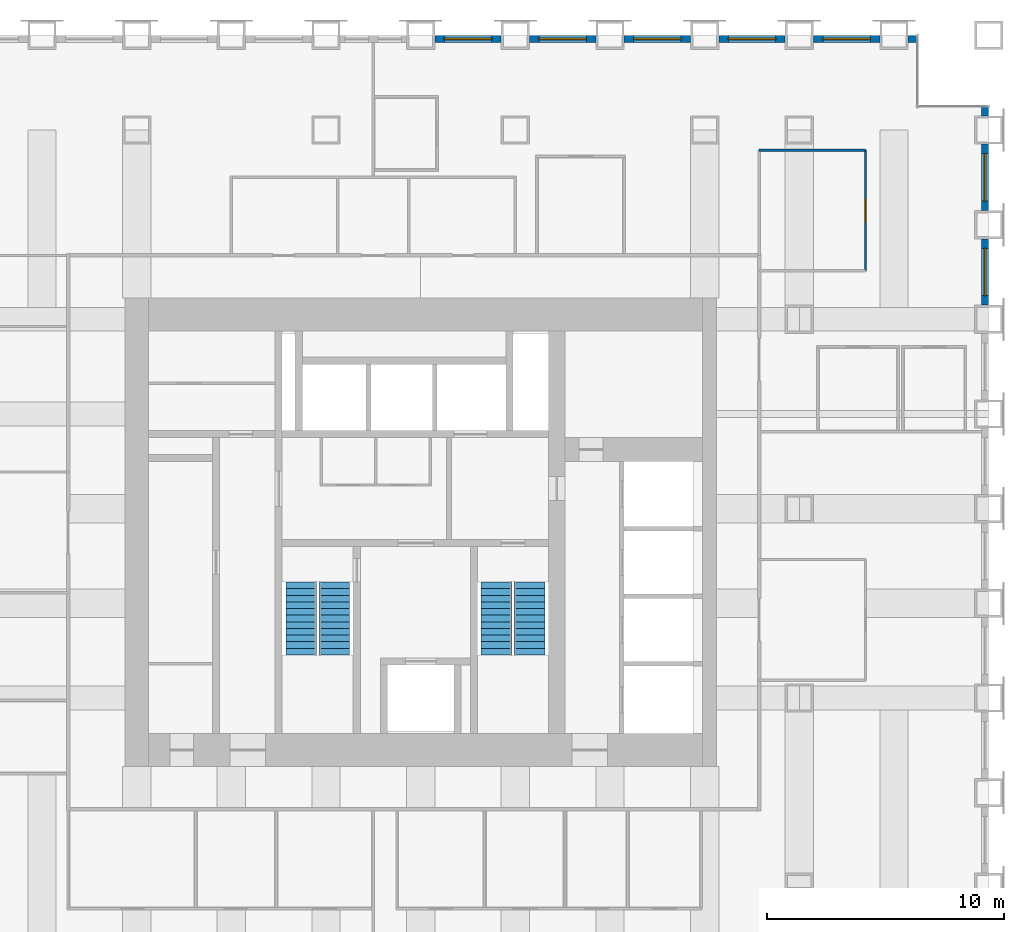
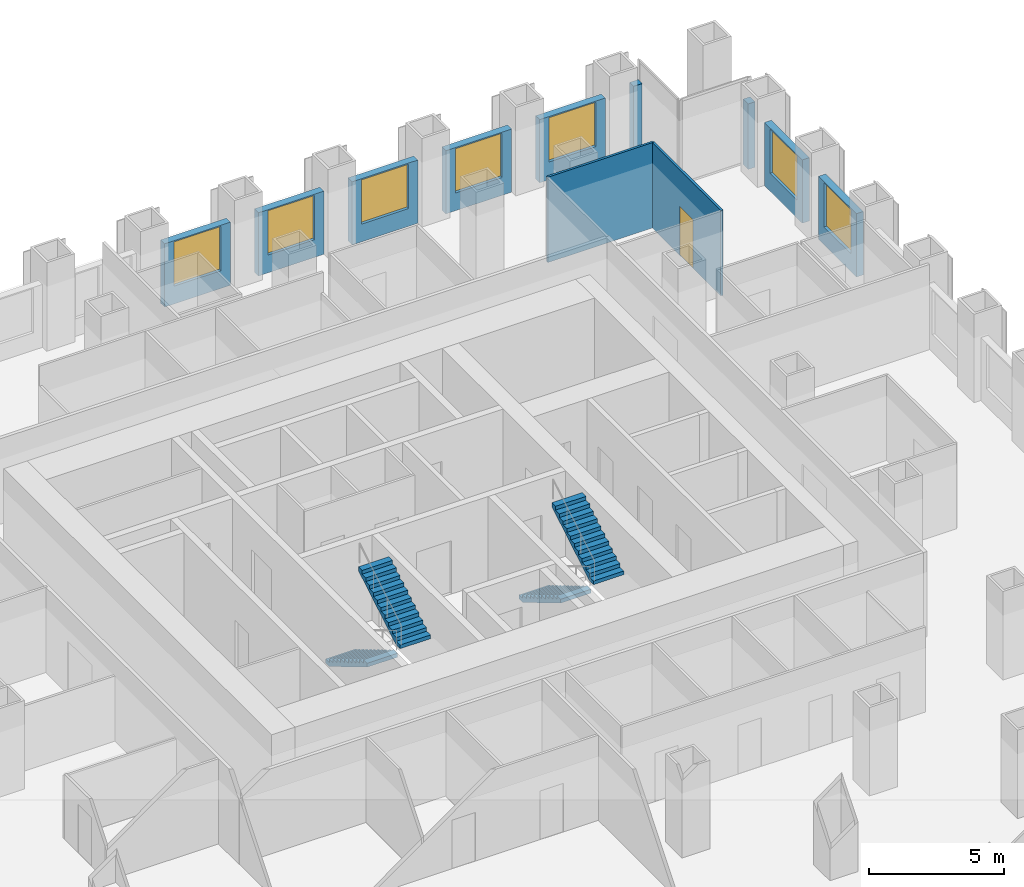
# One storey, part 12 of 14: 11 walls, 7 windows, 4 stair flights, 1 door, 8 openings, 2 elements without a shape of their own.
"""IFC4 building model written with IfcOpenShell, lengths in metres."""

from ifc_helpers import new_model, si_unit, direction, frame, frame_2d, origin, place, context, subcontext, project, spatial, polyline, rectangle, outline, extrude, material, layer, layer_set, type_object, element, fill, aggregate, save


model = new_model("IFC4")

# Units and contexts
model_context = context("Model", 3, precision=1e-05, world=origin(), true_north=direction((0.0, 1.0)))
body_context = subcontext(model_context, "Body", "Model", "MODEL_VIEW")
ifc_project = project(units=[si_unit("LENGTHUNIT", "METRE"), si_unit("AREAUNIT", "SQUARE_METRE"), si_unit("VOLUMEUNIT", "CUBIC_METRE"), si_unit("PLANEANGLEUNIT", "RADIAN"), si_unit("MASSUNIT", "GRAM", prefix="KILO")], contexts=[model_context])

# Site, building, storey
site_placement = place(None, origin())
site = spatial("IfcSite", under=ifc_project, at=site_placement, CompositionType="ELEMENT")
building_placement = place(site_placement, origin())
building = spatial("IfcBuilding", under=site, at=building_placement, Name="Rimbunsela Tower", CompositionType="ELEMENT")
storey_placement = place(building_placement, frame((0.0, 0.0, 47.0)))
storey = spatial("IfcBuildingStorey", under=building, at=storey_placement, Name="L11", CompositionType="ELEMENT", Elevation=47.0)

# Wall, opening, door
ifc_material_1 = material(Name="Gypsum board on steel studs", Category="steel")
ifc_layer_1 = layer(ifc_material_1, 0.10009765625)
ifc_layer_set_1 = layer_set([ifc_layer_1], Name="Office partition 100")
wall_type_1 = type_object("IfcWallType", Name="Office partition 100", PredefinedType="PARTITIONING", material=ifc_layer_set_1)
wall_1_placement = place(storey_placement, frame((48.800048828125, 38.050048828125, 0.0), z_axis=(0.0, 0.0, 1.0), x_axis=(0.0, 1.0, 0.0)))
wall_1 = element("IfcWall", 1, at=wall_1_placement, inside=storey, type_object=wall_type_1, Name="Office partition", PredefinedType="PARTITIONING", context=body_context, shape_type="SweptSolid", body=[
    extrude(rectangle(XDim=5.099853515625, YDim=0.10009765625, at=frame_2d((2.5498046875, 0.0))), origin(), (0.0, 0.0, 1.0), 3.85009765625),
])
opening_1_placement = place(wall_1_placement, frame((2.050048828125, 0.0, 0.0)))
opening_1 = element("IfcOpeningElement", 2, at=opening_1_placement, cuts=wall_1, Name="Opening D17", PredefinedType="OPENING", context=body_context, shape_type="SweptSolid", body=[
    extrude(rectangle(XDim=1.0, YDim=2.199951171875, at=frame_2d((0.5, 1.10009765625))), frame((0.0, 0.06005859375, 0.0), z_axis=(0.0, -1.0, 0.0), x_axis=(1.0, 0.0, 0.0)), (0.0, 0.0, 1.0), 0.1201171875),
])
ifc_material_2 = material(Name="Glazed aluminium door", Category="aluminium")
door_type = type_object("IfcDoorType", Name="Meeting room door 1000 glazed", OperationType="SINGLE_SWING_RIGHT", PredefinedType="DOOR", material=ifc_material_2)
door_placement = place(opening_1_placement, origin())
door = element("IfcDoor", 3, at=door_placement, inside=storey, type_object=door_type, Name="Reception door", OperationType="SINGLE_SWING_RIGHT", OverallHeight=2.199951171875, OverallWidth=1.0, PredefinedType="DOOR", context=body_context, shape_type="SweptSolid", body=[
    extrude(rectangle(XDim=1.0, YDim=2.199951171875, at=frame_2d((0.5, 1.10009765625))), frame((0.0, 0.02490234375, 0.0), z_axis=(0.0, -1.0, 0.0), x_axis=(1.0, 0.0, 0.0)), (0.0, 0.0, 1.0), 0.050048828125),
])
fill(opening_1, door)

# Wall
wall_2_placement = place(storey_placement, frame((48.800048828125, 43.14990234375, 0.0), z_axis=(0.0, 0.0, 1.0), x_axis=(-1.0, 0.0, 0.0)))
element("IfcWall", 4, at=wall_2_placement, inside=storey, type_object=wall_type_1, Name="Office partition", PredefinedType="PARTITIONING", context=body_context, shape_type="SweptSolid", body=[
    extrude(rectangle(XDim=4.5, YDim=0.10009765625, at=frame_2d((2.25, 0.0))), origin(), (0.0, 0.0, 1.0), 3.85009765625),
])

# Wall, opening, window
ifc_material_3 = material(Name="Precast concrete fc' 35 MPa", Category="concrete")
ifc_layer_2 = layer(ifc_material_3, 0.300048828125)
ifc_layer_set_2 = layer_set([ifc_layer_2], Name="Precast concrete fc' 35 MPa")
wall_type_2 = type_object("IfcWallType", Name="Precast facade panel 300", PredefinedType="ELEMENTEDWALL", material=ifc_layer_set_2)
wall_3_placement = place(storey_placement, frame((53.85009765625, 36.60009765625, 0.0), z_axis=(0.0, 0.0, 1.0), x_axis=(0.0, 1.0, 0.0)))
wall_3 = element("IfcWall", 5, at=wall_3_placement, inside=storey, type_object=wall_type_2, Name="Facade panel E L11", PredefinedType="ELEMENTEDWALL", context=body_context, shape_type="SweptSolid", body=[
    extrude(rectangle(XDim=2.7998046875, YDim=0.300048828125, at=frame_2d((1.39990234375, 0.0))), origin(), (0.0, 0.0, 1.0), 2.85009765625),
])
opening_2_placement = place(wall_3_placement, frame((0.39990234375, 0.0, 0.800048828125)))
opening_2 = element("IfcOpeningElement", 6, at=opening_2_placement, cuts=wall_3, Name="Opening W1", PredefinedType="OPENING", context=body_context, shape_type="SweptSolid", body=[
    extrude(rectangle(XDim=2.0, YDim=2.0, at=frame_2d((1.0, 1.0))), frame((0.0, 0.159912109375, 0.0), z_axis=(0.0, -1.0, 0.0), x_axis=(1.0, 0.0, 0.0)), (0.0, 0.0, 1.0), 0.320068359375),
])
ifc_material_4 = material(Name="Clear glass in aluminium frame", Category="aluminium")
window_type = type_object("IfcWindowType", Name="Window W1 2000x2000", PartitioningType="DOUBLE_PANEL_VERTICAL", PredefinedType="WINDOW", material=ifc_material_4)
window_1_placement = place(opening_2_placement, origin())
window_1 = element("IfcWindow", 7, at=window_1_placement, inside=storey, type_object=window_type, Name="Window L11", OverallHeight=2.0, OverallWidth=2.0, PartitioningType="SINGLE_PANEL", PredefinedType="WINDOW", context=body_context, shape_type="SweptSolid", body=[
    extrude(rectangle(XDim=2.0, YDim=2.0, at=frame_2d((1.0, 1.0))), frame((0.0, 0.030029296875, 0.0), z_axis=(0.0, -1.0, 0.0), x_axis=(1.0, 0.0, 0.0)), (0.0, 0.0, 1.0), 0.06005859375),
])
fill(opening_2, window_1)

wall_4_placement = place(storey_placement, frame((53.85009765625, 40.60009765625, 0.0), z_axis=(0.0, 0.0, 1.0), x_axis=(0.0, 1.0, 0.0)))
wall_4 = element("IfcWall", 8, at=wall_4_placement, inside=storey, type_object=wall_type_2, Name="Facade panel E L11", PredefinedType="ELEMENTEDWALL", context=body_context, shape_type="SweptSolid", body=[
    extrude(rectangle(XDim=2.7998046875, YDim=0.300048828125, at=frame_2d((1.39990234375, 0.0))), origin(), (0.0, 0.0, 1.0), 2.85009765625),
])
opening_3_placement = place(wall_4_placement, frame((0.39990234375, 0.0, 0.800048828125)))
opening_3 = element("IfcOpeningElement", 9, at=opening_3_placement, cuts=wall_4, Name="Opening W1", PredefinedType="OPENING", context=body_context, shape_type="SweptSolid", body=[
    extrude(rectangle(XDim=2.0, YDim=2.0, at=frame_2d((1.0, 1.0))), frame((0.0, 0.159912109375, 0.0), z_axis=(0.0, -1.0, 0.0), x_axis=(1.0, 0.0, 0.0)), (0.0, 0.0, 1.0), 0.320068359375),
])
window_2_placement = place(opening_3_placement, origin())
window_2 = element("IfcWindow", 10, at=window_2_placement, inside=storey, type_object=window_type, Name="Window L11", OverallHeight=2.0, OverallWidth=2.0, PartitioningType="SINGLE_PANEL", PredefinedType="WINDOW", context=body_context, shape_type="SweptSolid", body=[
    extrude(rectangle(XDim=2.0, YDim=2.0, at=frame_2d((1.0, 1.0))), frame((0.0, 0.030029296875, 0.0), z_axis=(0.0, -1.0, 0.0), x_axis=(1.0, 0.0, 0.0)), (0.0, 0.0, 1.0), 0.06005859375),
])
fill(opening_3, window_2)

# Wall
wall_5_placement = place(storey_placement, frame((53.85009765625, 44.60009765625, 0.0), z_axis=(0.0, 0.0, 1.0), x_axis=(0.0, 1.0, 0.0)))
element("IfcWall", 11, at=wall_5_placement, inside=storey, type_object=wall_type_2, Name="Facade panel E L11", PredefinedType="ELEMENTEDWALL", context=body_context, shape_type="SweptSolid", body=[
    extrude(rectangle(XDim=0.369873046875, YDim=0.300048828125, at=frame_2d((0.18505859375, 0.0))), origin(), (0.0, 0.0, 1.0), 2.949951171875),
])

# Wall, opening, window
wall_6_placement = place(storey_placement, frame((33.39990234375, 47.85009765625, 0.0), z_axis=(0.0, 0.0, 1.0), x_axis=(-1.0, 0.0, 0.0)))
wall_6 = element("IfcWall", 12, at=wall_6_placement, inside=storey, type_object=wall_type_2, Name="Facade panel N L11", PredefinedType="ELEMENTEDWALL", context=body_context, shape_type="SweptSolid", body=[
    extrude(rectangle(XDim=2.7998046875, YDim=0.300048828125, at=frame_2d((1.39990234375, 0.0))), origin(), (0.0, 0.0, 1.0), 2.85009765625),
])
opening_4_placement = place(wall_6_placement, frame((0.39990234375, 0.0, 0.800048828125)))
opening_4 = element("IfcOpeningElement", 13, at=opening_4_placement, cuts=wall_6, Name="Opening W1", PredefinedType="OPENING", context=body_context, shape_type="SweptSolid", body=[
    extrude(rectangle(XDim=2.0, YDim=2.0, at=frame_2d((1.0, 1.0))), frame((0.0, 0.159912109375, 0.0), z_axis=(0.0, -1.0, 0.0), x_axis=(1.0, 0.0, 0.0)), (0.0, 0.0, 1.0), 0.320068359375),
])
window_3_placement = place(opening_4_placement, origin())
window_3 = element("IfcWindow", 14, at=window_3_placement, inside=storey, type_object=window_type, Name="Window L11", OverallHeight=2.0, OverallWidth=2.0, PartitioningType="SINGLE_PANEL", PredefinedType="WINDOW", context=body_context, shape_type="SweptSolid", body=[
    extrude(rectangle(XDim=2.0, YDim=2.0, at=frame_2d((1.0, 1.0))), frame((0.0, 0.030029296875, 0.0), z_axis=(0.0, -1.0, 0.0), x_axis=(1.0, 0.0, 0.0)), (0.0, 0.0, 1.0), 0.06005859375),
])
fill(opening_4, window_3)

wall_7_placement = place(storey_placement, frame((37.39990234375, 47.85009765625, 0.0), z_axis=(0.0, 0.0, 1.0), x_axis=(-1.0, 0.0, 0.0)))
wall_7 = element("IfcWall", 15, at=wall_7_placement, inside=storey, type_object=wall_type_2, Name="Facade panel N L11", PredefinedType="ELEMENTEDWALL", context=body_context, shape_type="SweptSolid", body=[
    extrude(rectangle(XDim=2.7998046875, YDim=0.300048828125, at=frame_2d((1.39990234375, 0.0))), origin(), (0.0, 0.0, 1.0), 2.85009765625),
])
opening_5_placement = place(wall_7_placement, frame((0.39990234375, 0.0, 0.800048828125)))
opening_5 = element("IfcOpeningElement", 16, at=opening_5_placement, cuts=wall_7, Name="Opening W1", PredefinedType="OPENING", context=body_context, shape_type="SweptSolid", body=[
    extrude(rectangle(XDim=2.0, YDim=2.0, at=frame_2d((1.0, 1.0))), frame((0.0, 0.159912109375, 0.0), z_axis=(0.0, -1.0, 0.0), x_axis=(1.0, 0.0, 0.0)), (0.0, 0.0, 1.0), 0.320068359375),
])
window_4_placement = place(opening_5_placement, origin())
window_4 = element("IfcWindow", 17, at=window_4_placement, inside=storey, type_object=window_type, Name="Window L11", OverallHeight=2.0, OverallWidth=2.0, PartitioningType="SINGLE_PANEL", PredefinedType="WINDOW", context=body_context, shape_type="SweptSolid", body=[
    extrude(rectangle(XDim=2.0, YDim=2.0, at=frame_2d((1.0, 1.0))), frame((0.0, 0.030029296875, 0.0), z_axis=(0.0, -1.0, 0.0), x_axis=(1.0, 0.0, 0.0)), (0.0, 0.0, 1.0), 0.06005859375),
])
fill(opening_5, window_4)

wall_8_placement = place(storey_placement, frame((41.39990234375, 47.85009765625, 0.0), z_axis=(0.0, 0.0, 1.0), x_axis=(-1.0, 0.0, 0.0)))
wall_8 = element("IfcWall", 18, at=wall_8_placement, inside=storey, type_object=wall_type_2, Name="Facade panel N L11", PredefinedType="ELEMENTEDWALL", context=body_context, shape_type="SweptSolid", body=[
    extrude(rectangle(XDim=2.7998046875, YDim=0.300048828125, at=frame_2d((1.39990234375, 0.0))), origin(), (0.0, 0.0, 1.0), 2.85009765625),
])
opening_6_placement = place(wall_8_placement, frame((0.39990234375, 0.0, 0.800048828125)))
opening_6 = element("IfcOpeningElement", 19, at=opening_6_placement, cuts=wall_8, Name="Opening W1", PredefinedType="OPENING", context=body_context, shape_type="SweptSolid", body=[
    extrude(rectangle(XDim=2.0, YDim=2.0, at=frame_2d((1.0, 1.0))), frame((0.0, 0.159912109375, 0.0), z_axis=(0.0, -1.0, 0.0), x_axis=(1.0, 0.0, 0.0)), (0.0, 0.0, 1.0), 0.320068359375),
])
window_5_placement = place(opening_6_placement, origin())
window_5 = element("IfcWindow", 20, at=window_5_placement, inside=storey, type_object=window_type, Name="Window L11", OverallHeight=2.0, OverallWidth=2.0, PartitioningType="SINGLE_PANEL", PredefinedType="WINDOW", context=body_context, shape_type="SweptSolid", body=[
    extrude(rectangle(XDim=2.0, YDim=2.0, at=frame_2d((1.0, 1.0))), frame((0.0, 0.030029296875, 0.0), z_axis=(0.0, -1.0, 0.0), x_axis=(1.0, 0.0, 0.0)), (0.0, 0.0, 1.0), 0.06005859375),
])
fill(opening_6, window_5)

wall_9_placement = place(storey_placement, frame((45.39990234375, 47.85009765625, 0.0), z_axis=(0.0, 0.0, 1.0), x_axis=(-1.0, 0.0, 0.0)))
wall_9 = element("IfcWall", 21, at=wall_9_placement, inside=storey, type_object=wall_type_2, Name="Facade panel N L11", PredefinedType="ELEMENTEDWALL", context=body_context, shape_type="SweptSolid", body=[
    extrude(rectangle(XDim=2.7998046875, YDim=0.300048828125, at=frame_2d((1.39990234375, 0.0))), origin(), (0.0, 0.0, 1.0), 2.85009765625),
])
opening_7_placement = place(wall_9_placement, frame((0.39990234375, 0.0, 0.800048828125)))
opening_7 = element("IfcOpeningElement", 22, at=opening_7_placement, cuts=wall_9, Name="Opening W1", PredefinedType="OPENING", context=body_context, shape_type="SweptSolid", body=[
    extrude(rectangle(XDim=2.0, YDim=2.0, at=frame_2d((1.0, 1.0))), frame((0.0, 0.159912109375, 0.0), z_axis=(0.0, -1.0, 0.0), x_axis=(1.0, 0.0, 0.0)), (0.0, 0.0, 1.0), 0.320068359375),
])
window_6_placement = place(opening_7_placement, origin())
window_6 = element("IfcWindow", 23, at=window_6_placement, inside=storey, type_object=window_type, Name="Window L11", OverallHeight=2.0, OverallWidth=2.0, PartitioningType="SINGLE_PANEL", PredefinedType="WINDOW", context=body_context, shape_type="SweptSolid", body=[
    extrude(rectangle(XDim=2.0, YDim=2.0, at=frame_2d((1.0, 1.0))), frame((0.0, 0.030029296875, 0.0), z_axis=(0.0, -1.0, 0.0), x_axis=(1.0, 0.0, 0.0)), (0.0, 0.0, 1.0), 0.06005859375),
])
fill(opening_7, window_6)

wall_10_placement = place(storey_placement, frame((49.39990234375, 47.85009765625, 0.0), z_axis=(0.0, 0.0, 1.0), x_axis=(-1.0, 0.0, 0.0)))
wall_10 = element("IfcWall", 24, at=wall_10_placement, inside=storey, type_object=wall_type_2, Name="Facade panel N L11", PredefinedType="ELEMENTEDWALL", context=body_context, shape_type="SweptSolid", body=[
    extrude(rectangle(XDim=2.7998046875, YDim=0.300048828125, at=frame_2d((1.39990234375, 0.0))), origin(), (0.0, 0.0, 1.0), 2.85009765625),
])
opening_8_placement = place(wall_10_placement, frame((0.39990234375, 0.0, 0.800048828125)))
opening_8 = element("IfcOpeningElement", 25, at=opening_8_placement, cuts=wall_10, Name="Opening W1", PredefinedType="OPENING", context=body_context, shape_type="SweptSolid", body=[
    extrude(rectangle(XDim=2.0, YDim=2.0, at=frame_2d((1.0, 1.0))), frame((0.0, 0.159912109375, 0.0), z_axis=(0.0, -1.0, 0.0), x_axis=(1.0, 0.0, 0.0)), (0.0, 0.0, 1.0), 0.320068359375),
])
window_7_placement = place(opening_8_placement, origin())
window_7 = element("IfcWindow", 26, at=window_7_placement, inside=storey, type_object=window_type, Name="Window L11", OverallHeight=2.0, OverallWidth=2.0, PartitioningType="SINGLE_PANEL", PredefinedType="WINDOW", context=body_context, shape_type="SweptSolid", body=[
    extrude(rectangle(XDim=2.0, YDim=2.0, at=frame_2d((1.0, 1.0))), frame((0.0, 0.030029296875, 0.0), z_axis=(0.0, -1.0, 0.0), x_axis=(1.0, 0.0, 0.0)), (0.0, 0.0, 1.0), 0.06005859375),
])
fill(opening_8, window_7)

# Wall
wall_11_placement = place(storey_placement, frame((50.969970703125, 47.85009765625, 0.0), z_axis=(0.0, 0.0, 1.0), x_axis=(-1.0, 0.0, 0.0)))
element("IfcWall", 27, at=wall_11_placement, inside=storey, type_object=wall_type_2, Name="Facade panel N L11", PredefinedType="ELEMENTEDWALL", context=body_context, shape_type="SweptSolid", body=[
    extrude(rectangle(XDim=0.369873046875, YDim=0.300048828125, at=frame_2d((0.18505859375, 0.0))), origin(), (0.0, 0.0, 1.0), 2.949951171875),
])

# Stair, stair flights
ifc_material_5 = material(Name="Concrete fc' 35 MPa", Category="concrete")
stair_type = type_object("IfcStairType", Name="Exit stair 24 risers", PredefinedType="HALF_TURN_STAIR", material=ifc_material_5)
stair_1_placement = place(storey_placement, origin())
stair_1 = element("IfcStair", 28, at=stair_1_placement, inside=storey, type_object=stair_type, Name="Exit stair A L11", PredefinedType="HALF_TURN_STAIR")
ifc_material_6 = material(Name="Concrete fc' 35 MPa", Category="concrete")
stair_flight_type = type_object("IfcStairFlightType", Name="Stair flight 12 risers 167", PredefinedType="STRAIGHT", material=ifc_material_6)
stair_flight_1_placement = place(storey_placement, frame((24.949951171875, 24.89990234375, 0.0), z_axis=(0.0, 0.0, 1.0), x_axis=(0.0, -1.0, 0.0)))
stair_flight_1 = element("IfcStairFlight", 29, at=stair_flight_1_placement, type_object=stair_flight_type, Name="ST-A flight 1", NumberOfRisers=12, NumberOfTreads=11, PredefinedType="STRAIGHT", RiserHeight=0.166666667, TreadLength=0.28, context=body_context, shape_type="SweptSolid", body=[
    extrude(outline(polyline([(0.0, 0.0), (0.0, 0.166748046875), (0.280029296875, 0.166748046875), (0.280029296875, 0.333251953125), (0.56005859375, 0.333251953125), (0.56005859375, 0.5), (0.840087890625, 0.5), (0.840087890625, 0.666748046875), (1.1201171875, 0.666748046875), (1.1201171875, 0.833251953125), (1.39990234375, 0.833251953125), (1.39990234375, 1.0), (1.679931640625, 1.0), (1.679931640625, 1.166748046875), (1.9599609375, 1.166748046875), (1.9599609375, 1.333251953125), (2.239990234375, 1.333251953125), (2.239990234375, 1.5), (2.52001953125, 1.5), (2.52001953125, 1.666748046875), (2.800048828125, 1.666748046875), (2.800048828125, 1.833251953125), (3.080078125, 1.833251953125), (3.080078125, 2.0), (3.080078125, 1.658935546875), (0.29296875, 0.0), (0.0, 0.0)])), frame((0.0, 0.64990234375, 0.0), z_axis=(0.0, -1.0, 0.0), x_axis=(1.0, 0.0, 0.0)), (0.0, 0.0, 1.0), 1.300048828125),
])
stair_flight_2_placement = place(storey_placement, frame((26.35009765625, 21.820068359375, 2.0), z_axis=(0.0, 0.0, 1.0), x_axis=(0.0, 1.0, 0.0)))
stair_flight_2 = element("IfcStairFlight", 30, at=stair_flight_2_placement, type_object=stair_flight_type, Name="ST-A flight 2", NumberOfRisers=12, NumberOfTreads=11, PredefinedType="STRAIGHT", RiserHeight=0.166666667, TreadLength=0.28, context=body_context, shape_type="SweptSolid", body=[
    extrude(outline(polyline([(0.0, 0.0), (0.0, 0.166748046875), (0.280029296875, 0.166748046875), (0.280029296875, 0.333251953125), (0.56005859375, 0.333251953125), (0.56005859375, 0.5), (0.840087890625, 0.5), (0.840087890625, 0.666748046875), (1.1201171875, 0.666748046875), (1.1201171875, 0.833251953125), (1.39990234375, 0.833251953125), (1.39990234375, 1.0), (1.679931640625, 1.0), (1.679931640625, 1.166748046875), (1.9599609375, 1.166748046875), (1.9599609375, 1.333251953125), (2.239990234375, 1.333251953125), (2.239990234375, 1.5), (2.52001953125, 1.5), (2.52001953125, 1.666748046875), (2.800048828125, 1.666748046875), (2.800048828125, 1.833251953125), (3.080078125, 1.833251953125), (3.080078125, 2.0), (3.080078125, 1.658935546875), (0.29296875, 0.0), (0.0, 0.0)])), frame((0.0, 0.64990234375, 0.0), z_axis=(0.0, -1.0, 0.0), x_axis=(1.0, 0.0, 0.0)), (0.0, 0.0, 1.0), 1.300048828125),
])
aggregate(stair_1, [stair_flight_1, stair_flight_2])

stair_2_placement = place(storey_placement, origin())
stair_2 = element("IfcStair", 31, at=stair_2_placement, inside=storey, type_object=stair_type, Name="Exit stair B L11", PredefinedType="HALF_TURN_STAIR")
stair_flight_3_placement = place(storey_placement, frame((33.199951171875, 24.89990234375, 0.0), z_axis=(0.0, 0.0, 1.0), x_axis=(0.0, -1.0, 0.0)))
stair_flight_3 = element("IfcStairFlight", 32, at=stair_flight_3_placement, type_object=stair_flight_type, Name="ST-B flight 1", NumberOfRisers=12, NumberOfTreads=11, PredefinedType="STRAIGHT", RiserHeight=0.166666667, TreadLength=0.28, context=body_context, shape_type="SweptSolid", body=[
    extrude(outline(polyline([(0.0, 0.0), (0.0, 0.166748046875), (0.280029296875, 0.166748046875), (0.280029296875, 0.333251953125), (0.56005859375, 0.333251953125), (0.56005859375, 0.5), (0.840087890625, 0.5), (0.840087890625, 0.666748046875), (1.1201171875, 0.666748046875), (1.1201171875, 0.833251953125), (1.39990234375, 0.833251953125), (1.39990234375, 1.0), (1.679931640625, 1.0), (1.679931640625, 1.166748046875), (1.9599609375, 1.166748046875), (1.9599609375, 1.333251953125), (2.239990234375, 1.333251953125), (2.239990234375, 1.5), (2.52001953125, 1.5), (2.52001953125, 1.666748046875), (2.800048828125, 1.666748046875), (2.800048828125, 1.833251953125), (3.080078125, 1.833251953125), (3.080078125, 2.0), (3.080078125, 1.658935546875), (0.29296875, 0.0), (0.0, 0.0)])), frame((0.0, 0.64990234375, 0.0), z_axis=(0.0, -1.0, 0.0), x_axis=(1.0, 0.0, 0.0)), (0.0, 0.0, 1.0), 1.300048828125),
])
stair_flight_4_placement = place(storey_placement, frame((34.60009765625, 21.820068359375, 2.0), z_axis=(0.0, 0.0, 1.0), x_axis=(0.0, 1.0, 0.0)))
stair_flight_4 = element("IfcStairFlight", 33, at=stair_flight_4_placement, type_object=stair_flight_type, Name="ST-B flight 2", NumberOfRisers=12, NumberOfTreads=11, PredefinedType="STRAIGHT", RiserHeight=0.166666667, TreadLength=0.28, context=body_context, shape_type="SweptSolid", body=[
    extrude(outline(polyline([(0.0, 0.0), (0.0, 0.166748046875), (0.280029296875, 0.166748046875), (0.280029296875, 0.333251953125), (0.56005859375, 0.333251953125), (0.56005859375, 0.5), (0.840087890625, 0.5), (0.840087890625, 0.666748046875), (1.1201171875, 0.666748046875), (1.1201171875, 0.833251953125), (1.39990234375, 0.833251953125), (1.39990234375, 1.0), (1.679931640625, 1.0), (1.679931640625, 1.166748046875), (1.9599609375, 1.166748046875), (1.9599609375, 1.333251953125), (2.239990234375, 1.333251953125), (2.239990234375, 1.5), (2.52001953125, 1.5), (2.52001953125, 1.666748046875), (2.800048828125, 1.666748046875), (2.800048828125, 1.833251953125), (3.080078125, 1.833251953125), (3.080078125, 2.0), (3.080078125, 1.658935546875), (0.29296875, 0.0), (0.0, 0.0)])), frame((0.0, 0.64990234375, 0.0), z_axis=(0.0, -1.0, 0.0), x_axis=(1.0, 0.0, 0.0)), (0.0, 0.0, 1.0), 1.300048828125),
])
aggregate(stair_2, [stair_flight_3, stair_flight_4])

save(model, "model.ifc")
